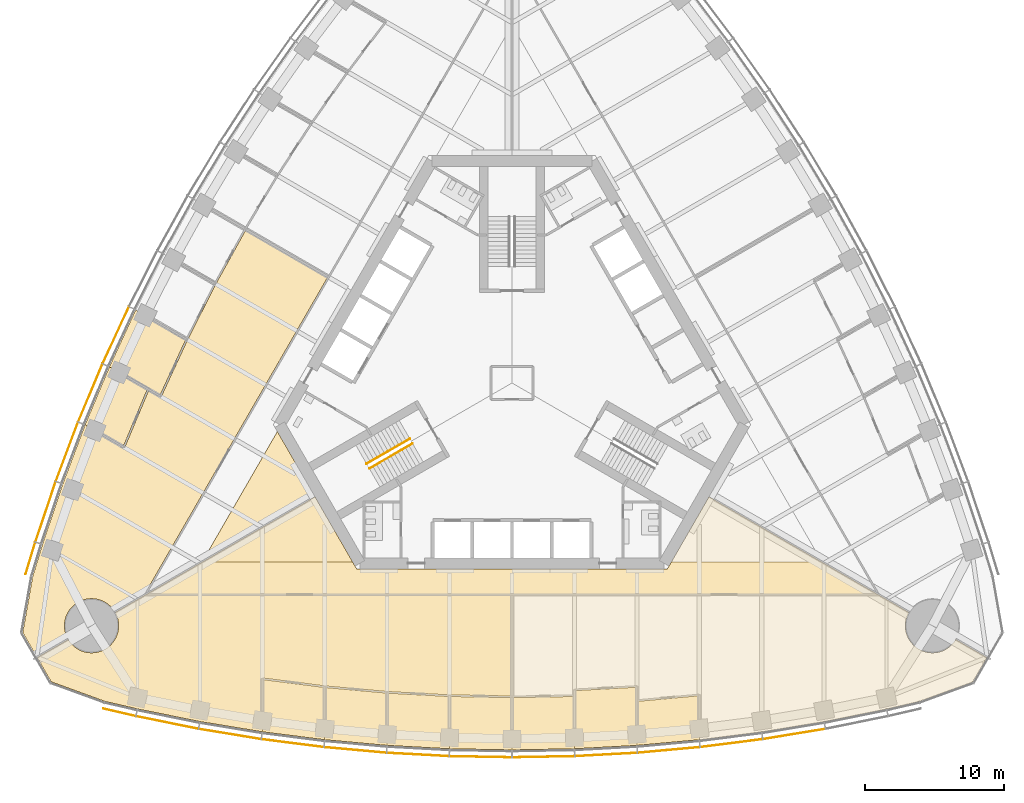
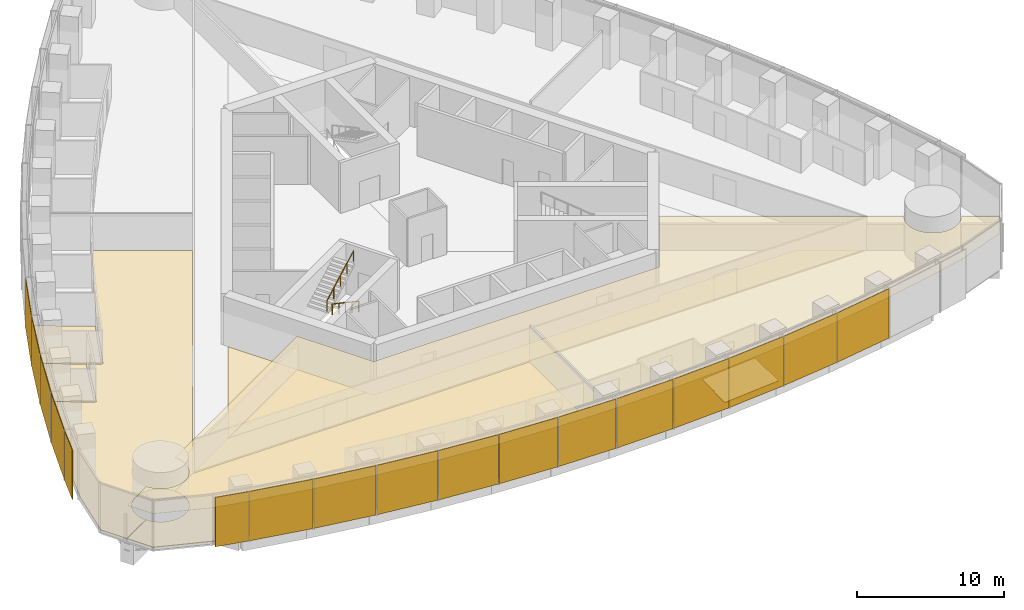
# One storey, part 15 of 19: 17 shading devices, 15 coverings, 2 railings.
"""IFC4 building model written with IfcOpenShell, lengths in metres."""

from ifc_helpers import new_model, si_unit, direction, frame, origin, origin_2d, place, context, subcontext, project, spatial, polyline, rectangle, circle, outline, extrude, material, layer, layer_set, type_object, element, save


model = new_model("IFC4")

# Units and contexts
model_context = context("Model", 3, precision=1e-05, world=origin(), true_north=direction((0.0, 1.0)))
body_context = subcontext(model_context, "Body", "Model", "MODEL_VIEW")
ifc_project = project(units=[si_unit("LENGTHUNIT", "METRE"), si_unit("AREAUNIT", "SQUARE_METRE"), si_unit("VOLUMEUNIT", "CUBIC_METRE"), si_unit("PLANEANGLEUNIT", "RADIAN"), si_unit("MASSUNIT", "GRAM", prefix="KILO")], contexts=[model_context])

# Site, building, storey
site_placement = place(None, origin())
site = spatial("IfcSite", under=ifc_project, at=site_placement, CompositionType="ELEMENT")
building_placement = place(site_placement, origin())
building = spatial("IfcBuilding", under=site, at=building_placement, Name="Trefoil Bronze Tower", CompositionType="ELEMENT")
storey_placement = place(building_placement, frame((0.0, 0.0, 128.300048828125)))
storey = spatial("IfcBuildingStorey", under=building, at=storey_placement, Name="L29", CompositionType="ELEMENT", Elevation=128.300048828125)

# Shading devices
ifc_material_1 = material(Name="Perforated bronze sheet", Category="bronze")
ifc_layer_1 = layer(ifc_material_1, 0.0400390625)
ifc_layer_set_1 = layer_set([ifc_layer_1], Name="Bronze solar screen panel")
shading_device_type = type_object("IfcShadingDeviceType", Name="Bronze solar screen panel", PredefinedType="SHUTTER", material=ifc_layer_set_1)
shading_device_1_placement = place(storey_placement, frame((-28.30078125, -23.748779296875, 0.0498046875), z_axis=(0.0, 0.0, 1.0), x_axis=(0.97420444715, -0.225667222151, 0.0)))
element("IfcShadingDevice", 1, at=shading_device_1_placement, inside=storey, type_object=shading_device_type, Name="Solar screen CW-A L29 F1 bay 1", PredefinedType="SHUTTER", context=body_context, shape_type="SweptSolid", body=[
    extrude(rectangle(XDim=2.39013671875, YDim=0.0400390625, at=origin_2d()), origin(), (0.0, 0.0, 1.0), 4.10009765625),
])
shading_device_2_placement = place(storey_placement, frame((-24.85693359375, -24.480224609375, 0.0498046875), z_axis=(0.0, 0.0, 1.0), x_axis=(0.980155155547, -0.198231861853, 0.0)))
element("IfcShadingDevice", 2, at=shading_device_2_placement, inside=storey, type_object=shading_device_type, Name="Solar screen CW-A L29 F1 bay 2", PredefinedType="SHUTTER", context=body_context, shape_type="SweptSolid", body=[
    extrude(rectangle(XDim=4.56103515625, YDim=0.0400390625, at=origin_2d()), origin(), (0.0, 0.0, 1.0), 4.10009765625),
])
shading_device_3_placement = place(storey_placement, frame((-20.337646484375, -25.30859375, 0.0498046875), z_axis=(0.0, 0.0, 1.0), x_axis=(0.986759655731, -0.162189339418, 0.0)))
element("IfcShadingDevice", 3, at=shading_device_3_placement, inside=storey, type_object=shading_device_type, Name="Solar screen CW-A L29 F1 bay 3", PredefinedType="SHUTTER", context=body_context, shape_type="SweptSolid", body=[
    extrude(rectangle(XDim=4.5302734375, YDim=0.0400390625, at=origin_2d()), origin(), (0.0, 0.0, 1.0), 4.10009765625),
])
shading_device_4_placement = place(storey_placement, frame((-15.818115234375, -25.96728515625, 0.0498046875), z_axis=(0.0, 0.0, 1.0), x_axis=(0.992011554286, -0.126147041833, 0.0)))
element("IfcShadingDevice", 4, at=shading_device_4_placement, inside=storey, type_object=shading_device_type, Name="Solar screen CW-A L29 F1 bay 4", PredefinedType="SHUTTER", context=body_context, shape_type="SweptSolid", body=[
    extrude(rectangle(XDim=4.50634765625, YDim=0.0400390625, at=origin_2d()), origin(), (0.0, 0.0, 1.0), 4.10009765625),
])
shading_device_5_placement = place(storey_placement, frame((-11.298583984375, -26.459228515625, 0.0498046875), z_axis=(0.0, 0.0, 1.0), x_axis=(0.995932279146, -0.090104913044, 0.0)))
element("IfcShadingDevice", 5, at=shading_device_5_placement, inside=storey, type_object=shading_device_type, Name="Solar screen CW-A L29 F1 bay 5", PredefinedType="SHUTTER", context=body_context, shape_type="SweptSolid", body=[
    extrude(rectangle(XDim=4.48828125, YDim=0.0400390625, at=origin_2d()), origin(), (0.0, 0.0, 1.0), 4.10009765625),
])
shading_device_6_placement = place(storey_placement, frame((-6.779296875, -26.785888671875, 0.0498046875), z_axis=(0.0, 0.0, 1.0), x_axis=(0.998537531923, -0.054062901701, 0.0)))
element("IfcShadingDevice", 6, at=shading_device_6_placement, inside=storey, type_object=shading_device_type, Name="Solar screen CW-A L29 F1 bay 6", PredefinedType="SHUTTER", context=body_context, shape_type="SweptSolid", body=[
    extrude(rectangle(XDim=4.4765625, YDim=0.0400390625, at=origin_2d()), origin(), (0.0, 0.0, 1.0), 4.10009765625),
])
for number, where, z_axis, x_axis, name in (
    (7, (-2.259765625, -26.948974609375, 0.0498046875), (0.0, 0.0, 1.0), (0.999837609322, -0.018020959612, 0.0), "Solar screen CW-A L29 F1 bay 7"),
    (8, (2.259765625, -26.948974609375, 0.0498046875), (0.0, 0.0, 1.0), (0.999837609322, 0.018020959612, 0.0), "Solar screen CW-A L29 F1 bay 8"),
):
    element("IfcShadingDevice", number, at=place(storey_placement, frame(where, z_axis=z_axis, x_axis=x_axis)), inside=storey, type_object=shading_device_type, Name=name, PredefinedType="SHUTTER", context=body_context, shape_type="SweptSolid", body=[
        extrude(rectangle(XDim=4.470703125, YDim=0.0400390625, at=origin_2d()), origin(), (0.0, 0.0, 1.0), 4.10009765625),
    ])
shading_device_7_placement = place(storey_placement, frame((6.779296875, -26.785888671875, 0.0498046875), z_axis=(0.0, 0.0, 1.0), x_axis=(0.998537531923, 0.054062901701, 0.0)))
element("IfcShadingDevice", 9, at=shading_device_7_placement, inside=storey, type_object=shading_device_type, Name="Solar screen CW-A L29 F1 bay 9", PredefinedType="SHUTTER", context=body_context, shape_type="SweptSolid", body=[
    extrude(rectangle(XDim=4.4765625, YDim=0.0400390625, at=origin_2d()), origin(), (0.0, 0.0, 1.0), 4.10009765625),
])
shading_device_8_placement = place(storey_placement, frame((11.298583984375, -26.459228515625, 0.0498046875), z_axis=(0.0, 0.0, 1.0), x_axis=(0.995932279146, 0.090104913044, 0.0)))
element("IfcShadingDevice", 10, at=shading_device_8_placement, inside=storey, type_object=shading_device_type, Name="Solar screen CW-A L29 F1 bay 10", PredefinedType="SHUTTER", context=body_context, shape_type="SweptSolid", body=[
    extrude(rectangle(XDim=4.48828125, YDim=0.0400390625, at=origin_2d()), origin(), (0.0, 0.0, 1.0), 4.10009765625),
])
shading_device_9_placement = place(storey_placement, frame((15.818115234375, -25.96728515625, 0.0498046875), z_axis=(0.0, 0.0, 1.0), x_axis=(0.992011554286, 0.126147041833, 0.0)))
element("IfcShadingDevice", 11, at=shading_device_9_placement, inside=storey, type_object=shading_device_type, Name="Solar screen CW-A L29 F1 bay 11", PredefinedType="SHUTTER", context=body_context, shape_type="SweptSolid", body=[
    extrude(rectangle(XDim=4.50634765625, YDim=0.0400390625, at=origin_2d()), origin(), (0.0, 0.0, 1.0), 4.10009765625),
])
shading_device_10_placement = place(storey_placement, frame((20.337646484375, -25.30859375, 0.0498046875), z_axis=(0.0, 0.0, 1.0), x_axis=(0.986759655731, 0.162189339418, 0.0)))
element("IfcShadingDevice", 12, at=shading_device_10_placement, inside=storey, type_object=shading_device_type, Name="Solar screen CW-A L29 F1 bay 12", PredefinedType="SHUTTER", context=body_context, shape_type="SweptSolid", body=[
    extrude(rectangle(XDim=4.5302734375, YDim=0.0400390625, at=origin_2d()), origin(), (0.0, 0.0, 1.0), 4.10009765625),
])
shading_device_11_placement = place(storey_placement, frame((-28.563720703125, 3.444580078125, 0.0498046875), z_axis=(0.0, 0.0, 1.0), x_axis=(-0.419932995871, -0.907555110712, 0.0)))
element("IfcShadingDevice", 13, at=shading_device_11_placement, inside=storey, type_object=shading_device_type, Name="Solar screen CW-A L29 F3 bay 10", PredefinedType="SHUTTER", context=body_context, shape_type="SweptSolid", body=[
    extrude(rectangle(XDim=4.48828125, YDim=0.0400390625, at=origin_2d()), origin(), (0.0, 0.0, 1.0), 4.10009765625),
])
shading_device_12_placement = place(storey_placement, frame((-30.3974609375, -0.715087890625, 0.0498046875), z_axis=(0.0, 0.0, 1.0), x_axis=(-0.386759234303, -0.922180727776, 0.0)))
element("IfcShadingDevice", 14, at=shading_device_12_placement, inside=storey, type_object=shading_device_type, Name="Solar screen CW-A L29 F3 bay 11", PredefinedType="SHUTTER", context=body_context, shape_type="SweptSolid", body=[
    extrude(rectangle(XDim=4.50634765625, YDim=0.0400390625, at=origin_2d()), origin(), (0.0, 0.0, 1.0), 4.10009765625),
])
shading_device_13_placement = place(storey_placement, frame((-32.086669921875, -4.95849609375, 0.0498046875), z_axis=(0.0, 0.0, 1.0), x_axis=(-0.352919739707, -0.935653599002, 0.0)))
element("IfcShadingDevice", 15, at=shading_device_13_placement, inside=storey, type_object=shading_device_type, Name="Solar screen CW-A L29 F3 bay 12", PredefinedType="SHUTTER", context=body_context, shape_type="SweptSolid", body=[
    extrude(rectangle(XDim=4.5302734375, YDim=0.0400390625, at=origin_2d()), origin(), (0.0, 0.0, 1.0), 4.10009765625),
])
shading_device_14_placement = place(storey_placement, frame((-33.62890625, -9.286865234375, 0.0498046875), z_axis=(0.0, 0.0, 1.0), x_axis=(-0.318403749569, -0.947955195281, 0.0)))
element("IfcShadingDevice", 16, at=shading_device_14_placement, inside=storey, type_object=shading_device_type, Name="Solar screen CW-A L29 F3 bay 13", PredefinedType="SHUTTER", context=body_context, shape_type="SweptSolid", body=[
    extrude(rectangle(XDim=4.56103515625, YDim=0.0400390625, at=origin_2d()), origin(), (0.0, 0.0, 1.0), 4.10009765625),
])
shading_device_15_placement = place(storey_placement, frame((-34.717529296875, -12.634765625, 0.0498046875), z_axis=(0.0, 0.0, 1.0), x_axis=(-0.291668676391, -0.956519410787, 0.0)))
element("IfcShadingDevice", 17, at=shading_device_15_placement, inside=storey, type_object=shading_device_type, Name="Solar screen CW-A L29 F3 bay 14", PredefinedType="SHUTTER", context=body_context, shape_type="SweptSolid", body=[
    extrude(rectangle(XDim=2.39013671875, YDim=0.0400390625, at=origin_2d()), origin(), (0.0, 0.0, 1.0), 4.10009765625),
])

# Railings
ifc_material_2 = material(Name="Steel handrail", Category="steel")
railing_type = type_object("IfcRailingType", Name="Handrail 900", PredefinedType="HANDRAIL", material=ifc_material_2)
railing_1_placement = place(storey_placement, frame((-7.166015625, -4.3681640625, 0.161376953125)))
element("IfcRailing", 18, at=railing_1_placement, inside=storey, type_object=railing_type, Name="Handrail ST3 flight 1 L29", PredefinedType="HANDRAIL", context=body_context, shape_type="SweptSolid", body=[
    extrude(circle(Radius=0.02392578125, at=origin_2d()), frame((0.0, 0.0, 0.8759765625), z_axis=(-0.76250339821, -0.440245697338, 0.474101564745), x_axis=(0.500012057535, -0.866018442252, 0.0)), (0.0, 0.0, 1.0), 4.088623046875),
    extrude(circle(Radius=0.02099609375, at=origin_2d()), origin(), (0.0, 0.0, 1.0), 0.851806640625),
    extrude(circle(Radius=0.02099609375, at=origin_2d()), frame((-0.779296875, -0.449951171875, 0.484619140625)), (0.0, 0.0, 1.0), 0.851806640625),
    extrude(circle(Radius=0.02099609375, at=origin_2d()), frame((-1.558837890625, -0.89990234375, 0.96923828125)), (0.0, 0.0, 1.0), 0.851806640625),
    extrude(circle(Radius=0.02099609375, at=origin_2d()), frame((-2.33837890625, -1.35009765625, 1.453857421875)), (0.0, 0.0, 1.0), 0.851806640625),
    extrude(circle(Radius=0.02099609375, at=origin_2d()), frame((-3.11767578125, -1.800048828125, 1.9384765625)), (0.0, 0.0, 1.0), 0.851806640625),
])
railing_2_placement = place(storey_placement, frame((-10.483642578125, -5.82177734375, 2.261474609375)))
element("IfcRailing", 19, at=railing_2_placement, inside=storey, type_object=railing_type, Name="Handrail ST3 flight 2 L29", PredefinedType="HANDRAIL", context=body_context, shape_type="SweptSolid", body=[
    extrude(circle(Radius=0.02392578125, at=origin_2d()), frame((0.0, 0.0, 0.8759765625), z_axis=(0.76250339821, 0.440245697338, 0.474101564745), x_axis=(-0.500012057535, 0.866018442252, 0.0)), (0.0, 0.0, 1.0), 4.088623046875),
    extrude(circle(Radius=0.02099609375, at=origin_2d()), origin(), (0.0, 0.0, 1.0), 0.851806640625),
    extrude(circle(Radius=0.02099609375, at=origin_2d()), frame((0.779296875, 0.449951171875, 0.484619140625)), (0.0, 0.0, 1.0), 0.851806640625),
    extrude(circle(Radius=0.02099609375, at=origin_2d()), frame((1.558837890625, 0.89990234375, 0.96923828125)), (0.0, 0.0, 1.0), 0.851806640625),
    extrude(circle(Radius=0.02099609375, at=origin_2d()), frame((2.33837890625, 1.35009765625, 1.453857421875)), (0.0, 0.0, 1.0), 0.851806640625),
    extrude(circle(Radius=0.02099609375, at=origin_2d()), frame((3.11767578125, 1.800048828125, 1.9384765625)), (0.0, 0.0, 1.0), 0.851806640625),
])

# Coverings
ifc_material_3 = material(Name="Acoustic ceiling panels", Category="mineral fibre")
ifc_layer_2 = layer(ifc_material_3, 0.02001953125)
ifc_layer_set_2 = layer_set([ifc_layer_2], Name="Office ceiling 20")
covering_type_1 = type_object("IfcCoveringType", Name="Office ceiling 20", PredefinedType="CEILING", material=ifc_layer_set_2)
covering_1_placement = place(storey_placement, frame((0.0, 0.0, 2.89990234375)))
element("IfcCovering", 20, at=covering_1_placement, inside=storey, type_object=covering_type_1, Name="Ceiling L29 Open-plan office F1", PredefinedType="CEILING", context=body_context, shape_type="SweptSolid", body=[
    extrude(outline(polyline([(-31.932373046875, -18.58349609375), (-31.877197265625, -18.66162109375), (-31.818359375, -18.737060546875), (-31.755615234375, -18.8095703125), (-31.689697265625, -18.87890625), (-31.620361328125, -18.94482421875), (-31.548095703125, -19.00732421875), (-31.472412109375, -19.06640625), (-31.394287109375, -19.121337890625), (-31.3134765625, -19.172607421875), (-31.22998046875, -19.2197265625), (-31.14453125, -19.2626953125), (-31.05712890625, -19.301513671875), (-30.9677734375, -19.3359375), (-30.876953125, -19.365966796875), (-30.78466796875, -19.3916015625), (-30.69140625, -19.41259765625), (-30.596923828125, -19.428955078125), (-30.501953125, -19.440673828125), (-30.406494140625, -19.44775390625), (-30.310791015625, -19.449951171875), (-30.215087890625, -19.44775390625), (-30.119873046875, -19.440673828125), (-30.02490234375, -19.428955078125), (-29.930419921875, -19.41259765625), (-29.837158203125, -19.3916015625), (-29.744873046875, -19.365966796875), (-29.654052734375, -19.3359375), (-29.564697265625, -19.301513671875), (-29.477294921875, -19.2626953125), (-29.3916015625, -19.2197265625), (-29.308349609375, -19.172607421875), (-29.2275390625, -19.121337890625), (-29.1494140625, -19.06640625), (-29.07373046875, -19.00732421875), (-29.001220703125, -18.94482421875), (-28.931884765625, -18.87890625), (-28.865966796875, -18.8095703125), (-28.803466796875, -18.737060546875), (-28.74462890625, -18.66162109375), (-28.689453125, -18.58349609375), (-28.63818359375, -18.50244140625), (-28.591064453125, -18.419189453125), (-28.548095703125, -18.333740234375), (-28.50927734375, -18.24609375), (-28.474853515625, -18.156982421875), (-28.44482421875, -18.066162109375), (-28.419189453125, -17.973876953125), (-28.3984375, -17.88037109375), (-28.382080078125, -17.7861328125), (-28.370361328125, -17.691162109375), (-28.36328125, -17.595703125), (-28.36083984375, -17.5), (-28.36328125, -17.404296875), (-28.370361328125, -17.308837890625), (-28.382080078125, -17.2138671875), (-28.3984375, -17.11962890625), (-28.419189453125, -17.026123046875), (-28.44482421875, -16.933837890625), (-28.474853515625, -16.843017578125), (-28.50927734375, -16.75390625), (-28.548095703125, -16.666259765625), (-28.591064453125, -16.580810546875), (-28.616455078125, -16.535888671875), (-14.19970703125, -8.205322265625), (-11.20068359375, -13.39990234375), (11.20068359375, -13.39990234375), (14.19970703125, -8.205322265625), (28.616455078125, -16.535888671875), (28.591064453125, -16.580810546875), (28.548095703125, -16.666259765625), (28.50927734375, -16.75390625), (28.474853515625, -16.843017578125), (28.44482421875, -16.933837890625), (28.419189453125, -17.026123046875), (28.3984375, -17.11962890625), (28.382080078125, -17.2138671875), (28.370361328125, -17.308837890625), (28.36328125, -17.404296875), (28.36083984375, -17.5), (28.36328125, -17.595703125), (28.370361328125, -17.691162109375), (28.382080078125, -17.7861328125), (28.3984375, -17.88037109375), (28.419189453125, -17.973876953125), (28.44482421875, -18.066162109375), (28.474853515625, -18.156982421875), (28.50927734375, -18.24609375), (28.548095703125, -18.333740234375), (28.591064453125, -18.419189453125), (28.63818359375, -18.50244140625), (28.689453125, -18.58349609375), (28.74462890625, -18.66162109375), (28.803466796875, -18.737060546875), (28.865966796875, -18.8095703125), (28.931884765625, -18.87890625), (29.001220703125, -18.94482421875), (29.07373046875, -19.00732421875), (29.1494140625, -19.06640625), (29.2275390625, -19.121337890625), (29.308349609375, -19.172607421875), (29.3916015625, -19.2197265625), (29.477294921875, -19.2626953125), (29.564697265625, -19.301513671875), (29.654052734375, -19.3359375), (29.744873046875, -19.365966796875), (29.837158203125, -19.3916015625), (29.930419921875, -19.41259765625), (30.02490234375, -19.428955078125), (30.119873046875, -19.440673828125), (30.215087890625, -19.44775390625), (30.310791015625, -19.449951171875), (30.406494140625, -19.44775390625), (30.501953125, -19.440673828125), (30.596923828125, -19.428955078125), (30.69140625, -19.41259765625), (30.78466796875, -19.3916015625), (30.876953125, -19.365966796875), (30.9677734375, -19.3359375), (31.05712890625, -19.301513671875), (31.14453125, -19.2626953125), (31.22998046875, -19.2197265625), (31.3134765625, -19.172607421875), (31.394287109375, -19.121337890625), (31.472412109375, -19.06640625), (31.548095703125, -19.00732421875), (31.620361328125, -18.94482421875), (31.689697265625, -18.87890625), (31.755615234375, -18.8095703125), (31.818359375, -18.737060546875), (31.877197265625, -18.66162109375), (31.932373046875, -18.58349609375), (31.992431640625, -18.48681640625), (34.233154296875, -19.781494140625), (33.21435546875, -21.5458984375), (29.357666015625, -22.94970703125), (27.0, -23.495849609375), (22.5, -24.406005859375), (18.0, -25.1455078125), (13.5, -25.7177734375), (9.0, -26.125), (4.5, -26.36865234375), (0.0, -26.44970703125), (-4.5, -26.36865234375), (-9.0, -26.125), (-13.5, -25.7177734375), (-18.0, -25.1455078125), (-22.5, -24.406005859375), (-27.0, -23.495849609375), (-29.357666015625, -22.94970703125), (-33.21435546875, -21.5458984375), (-34.233154296875, -19.781494140625), (-31.992431640625, -18.48681640625), (-31.932373046875, -18.58349609375)])), origin(), (0.0, 0.0, 1.0), 0.02001953125),
])
ifc_material_4 = material(Name="Raised access floor panels", Category="steel")
ifc_layer_3 = layer(ifc_material_4, 0.050048828125)
ifc_layer_set_3 = layer_set([ifc_layer_3], Name="Raised access floor 150")
covering_type_2 = type_object("IfcCoveringType", Name="Raised access floor 150", PredefinedType="FLOORING", material=ifc_layer_set_3)
covering_2_placement = place(storey_placement, frame((0.0, 0.0, 0.099853515625)))
element("IfcCovering", 21, at=covering_2_placement, inside=storey, type_object=covering_type_2, Name="Raised floor L29 Project room F1", PredefinedType="FLOORING", context=body_context, shape_type="SweptSolid", body=[
    extrude(outline(polyline([(-13.5, -25.7177734375), (-18.0, -25.1455078125), (-18.0, -23.64990234375), (-17.93994140625, -23.64990234375), (-17.93994140625, -21.388671875), (-13.56005859375, -21.94580078125), (-13.56005859375, -24.22900390625), (-13.5, -24.22900390625), (-13.5, -25.7177734375)])), origin(), (0.0, 0.0, 1.0), 0.050048828125),
])
covering_3_placement = place(storey_placement, frame((0.0, 0.0, 0.099853515625)))
element("IfcCovering", 22, at=covering_3_placement, inside=storey, type_object=covering_type_2, Name="Raised floor L29 Project room F1", PredefinedType="FLOORING", context=body_context, shape_type="SweptSolid", body=[
    extrude(outline(polyline([(-9.0, -26.125), (-13.5, -25.7177734375), (-13.5, -24.22900390625), (-13.43994140625, -24.22900390625), (-13.43994140625, -21.95849609375), (-9.06005859375, -22.354736328125), (-9.06005859375, -24.64111328125), (-9.0, -24.64111328125), (-9.0, -26.125)])), origin(), (0.0, 0.0, 1.0), 0.050048828125),
])
covering_4_placement = place(storey_placement, frame((0.0, 0.0, 0.099853515625)))
element("IfcCovering", 23, at=covering_4_placement, inside=storey, type_object=covering_type_2, Name="Raised floor L29 Project room F1", PredefinedType="FLOORING", context=body_context, shape_type="SweptSolid", body=[
    extrude(outline(polyline([(-4.5, -26.36865234375), (-9.0, -26.125), (-9.0, -24.64111328125), (-8.93994140625, -24.64111328125), (-8.93994140625, -22.36328125), (-4.56005859375, -22.600341796875), (-4.56005859375, -24.8876953125), (-4.5, -24.8876953125), (-4.5, -26.36865234375)])), origin(), (0.0, 0.0, 1.0), 0.050048828125),
])
covering_5_placement = place(storey_placement, frame((0.0, 0.0, 0.099853515625)))
element("IfcCovering", 24, at=covering_5_placement, inside=storey, type_object=covering_type_2, Name="Raised floor L29 Project room F1", PredefinedType="FLOORING", context=body_context, shape_type="SweptSolid", body=[
    extrude(outline(polyline([(0.0, -26.44970703125), (-4.5, -26.36865234375), (-4.5, -24.8876953125), (-4.43994140625, -24.8876953125), (-4.43994140625, -22.604736328125), (-0.074951171875, -22.683349609375), (-0.074951171875, -24.9697265625), (0.0, -24.9697265625), (0.0, -26.44970703125)])), origin(), (0.0, 0.0, 1.0), 0.050048828125),
])
covering_6_placement = place(storey_placement, frame((0.0, 0.0, 0.099853515625)))
element("IfcCovering", 25, at=covering_6_placement, inside=storey, type_object=covering_type_2, Name="Raised floor L29 Project room F1", PredefinedType="FLOORING", context=body_context, shape_type="SweptSolid", body=[
    extrude(outline(polyline([(4.5, -26.36865234375), (0.0, -26.44970703125), (0.0, -24.9697265625), (0.074951171875, -24.9697265625), (0.074951171875, -22.683349609375), (4.43994140625, -22.604736328125), (4.43994140625, -24.8876953125), (4.5, -24.8876953125), (4.5, -26.36865234375)])), origin(), (0.0, 0.0, 1.0), 0.050048828125),
])
covering_7_placement = place(storey_placement, frame((0.0, 0.0, 0.099853515625)))
element("IfcCovering", 26, at=covering_7_placement, inside=storey, type_object=covering_type_2, Name="Raised floor L29 Meeting room F1", PredefinedType="FLOORING", context=body_context, shape_type="SweptSolid", body=[
    extrude(outline(polyline([(9.0, -26.125), (4.5, -26.36865234375), (4.5, -24.8876953125), (4.56005859375, -24.8876953125), (4.56005859375, -22.17529296875), (8.93994140625, -21.938232421875), (8.93994140625, -24.64111328125), (9.0, -24.64111328125), (9.0, -26.125)])), origin(), (0.0, 0.0, 1.0), 0.050048828125),
])
covering_8_placement = place(storey_placement, frame((0.0, 0.0, 0.099853515625)))
element("IfcCovering", 27, at=covering_8_placement, inside=storey, type_object=covering_type_2, Name="Raised floor L29 Pantry F1", PredefinedType="FLOORING", context=body_context, shape_type="SweptSolid", body=[
    extrude(outline(polyline([(13.5, -25.7177734375), (9.0, -26.125), (9.0, -24.64111328125), (9.06005859375, -24.64111328125), (9.06005859375, -22.94970703125), (13.43994140625, -22.553466796875), (13.43994140625, -24.22900390625), (13.5, -24.22900390625), (13.5, -25.7177734375)])), origin(), (0.0, 0.0, 1.0), 0.050048828125),
])
covering_9_placement = place(storey_placement, frame((0.0, 0.0, 0.099853515625)))
element("IfcCovering", 28, at=covering_9_placement, inside=storey, type_object=covering_type_2, Name="Raised floor L29 Corridor F1", PredefinedType="FLOORING", context=body_context, shape_type="SweptSolid", body=[
    extrude(outline(polyline([(-26.304443359375, -15.199951171875), (-22.32421875, -12.89990234375), (-11.4892578125, -12.89990234375), (-11.20068359375, -13.39990234375), (11.20068359375, -13.39990234375), (11.4892578125, -12.89990234375), (22.32421875, -12.89990234375), (26.304443359375, -15.199951171875), (-26.304443359375, -15.199951171875)])), origin(), (0.0, 0.0, 1.0), 0.050048828125),
])
covering_10_placement = place(storey_placement, frame((0.0, 0.0, 0.099853515625)))
element("IfcCovering", 29, at=covering_10_placement, inside=storey, type_object=covering_type_2, Name="Raised floor L29 Open-plan office F1", PredefinedType="FLOORING", context=body_context, shape_type="SweptSolid", body=[
    extrude(outline(polyline([(-28.50927734375, -16.75390625), (-28.548095703125, -16.666259765625), (-28.591064453125, -16.580810546875), (-28.616455078125, -16.535888671875), (-26.398193359375, -15.254150390625), (-26.398193359375, -15.320068359375), (-0.074951171875, -15.320068359375), (-0.074951171875, -22.563232421875), (-4.497802734375, -22.483642578125), (-8.99560546875, -22.239990234375), (-13.493408203125, -21.8330078125), (-17.992431640625, -21.260986328125), (-18.0, -21.320556640625), (-18.06005859375, -21.320556640625), (-18.06005859375, -23.64990234375), (-18.0, -23.64990234375), (-18.0, -25.1455078125), (-22.5, -24.406005859375), (-27.0, -23.495849609375), (-29.357666015625, -22.94970703125), (-33.21435546875, -21.5458984375), (-34.233154296875, -19.781494140625), (-31.992431640625, -18.48681640625), (-31.932373046875, -18.58349609375), (-31.877197265625, -18.66162109375), (-31.818359375, -18.737060546875), (-31.755615234375, -18.8095703125), (-31.689697265625, -18.87890625), (-31.620361328125, -18.94482421875), (-31.548095703125, -19.00732421875), (-31.472412109375, -19.06640625), (-31.394287109375, -19.121337890625), (-31.3134765625, -19.172607421875), (-31.22998046875, -19.2197265625), (-31.14453125, -19.2626953125), (-31.05712890625, -19.301513671875), (-30.9677734375, -19.3359375), (-30.876953125, -19.365966796875), (-30.78466796875, -19.3916015625), (-30.69140625, -19.41259765625), (-30.596923828125, -19.428955078125), (-30.501953125, -19.440673828125), (-30.406494140625, -19.44775390625), (-30.310791015625, -19.449951171875), (-30.215087890625, -19.44775390625), (-30.119873046875, -19.440673828125), (-30.02490234375, -19.428955078125), (-29.930419921875, -19.41259765625), (-29.837158203125, -19.3916015625), (-29.744873046875, -19.365966796875), (-29.654052734375, -19.3359375), (-29.564697265625, -19.301513671875), (-29.477294921875, -19.2626953125), (-29.3916015625, -19.2197265625), (-29.308349609375, -19.172607421875), (-29.2275390625, -19.121337890625), (-29.1494140625, -19.06640625), (-29.07373046875, -19.00732421875), (-29.001220703125, -18.94482421875), (-28.931884765625, -18.87890625), (-28.865966796875, -18.8095703125), (-28.803466796875, -18.737060546875), (-28.74462890625, -18.66162109375), (-28.689453125, -18.58349609375), (-28.63818359375, -18.50244140625), (-28.591064453125, -18.419189453125), (-28.548095703125, -18.333740234375), (-28.50927734375, -18.24609375), (-28.474853515625, -18.156982421875), (-28.44482421875, -18.066162109375), (-28.419189453125, -17.973876953125), (-28.3984375, -17.88037109375), (-28.382080078125, -17.7861328125), (-28.370361328125, -17.691162109375), (-28.36328125, -17.595703125), (-28.36083984375, -17.5), (-28.36328125, -17.404296875), (-28.370361328125, -17.308837890625), (-28.382080078125, -17.2138671875), (-28.3984375, -17.11962890625), (-28.419189453125, -17.026123046875), (-28.44482421875, -16.933837890625), (-28.474853515625, -16.843017578125), (-28.50927734375, -16.75390625)])), origin(), (0.0, 0.0, 1.0), 0.050048828125),
])
covering_11_placement = place(storey_placement, frame((0.0, 0.0, 0.099853515625)))
element("IfcCovering", 30, at=covering_11_placement, inside=storey, type_object=covering_type_2, Name="Raised floor L29 Open-plan office F1", PredefinedType="FLOORING", context=body_context, shape_type="SweptSolid", body=[
    extrude(outline(polyline([(-22.32421875, -12.89990234375), (-14.19970703125, -8.205322265625), (-11.4892578125, -12.89990234375), (-22.32421875, -12.89990234375)])), origin(), (0.0, 0.0, 1.0), 0.050048828125),
])
covering_12_placement = place(storey_placement, frame((0.0, 0.0, 0.099853515625)))
element("IfcCovering", 31, at=covering_12_placement, inside=storey, type_object=covering_type_2, Name="Raised floor L29 Meeting room F3", PredefinedType="FLOORING", context=body_context, shape_type="SweptSolid", body=[
    extrude(outline(polyline([(-29.022216796875, 1.16748046875), (-27.124755859375, 5.268310546875), (-25.83984375, 4.5263671875), (-25.869873046875, 4.474365234375), (-23.521728515625, 3.11865234375), (-25.368408203125, -0.87255859375), (-27.702880859375, 0.47509765625), (-27.73291015625, 0.423095703125), (-29.022216796875, 1.16748046875)])), origin(), (0.0, 0.0, 1.0), 0.050048828125),
])
covering_13_placement = place(storey_placement, frame((0.0, 0.0, 0.099853515625)))
element("IfcCovering", 32, at=covering_13_placement, inside=storey, type_object=covering_type_2, Name="Raised floor L29 Pantry F3", PredefinedType="FLOORING", context=body_context, shape_type="SweptSolid", body=[
    extrude(outline(polyline([(-30.776611328125, -3.015625), (-29.022216796875, 1.16748046875), (-27.73291015625, 0.423095703125), (-27.762939453125, 0.371337890625), (-26.30078125, -0.472900390625), (-28.00830078125, -4.544677734375), (-29.451416015625, -3.71142578125), (-29.4814453125, -3.763427734375), (-30.776611328125, -3.015625)])), origin(), (0.0, 0.0, 1.0), 0.050048828125),
])
covering_14_placement = place(storey_placement, frame((0.0, 0.0, 0.099853515625)))
element("IfcCovering", 33, at=covering_14_placement, inside=storey, type_object=covering_type_2, Name="Raised floor L29 Open-plan office F3", PredefinedType="FLOORING", context=body_context, shape_type="SweptSolid", body=[
    extrude(outline(polyline([(-35.2666015625, -17.99169921875), (-34.5537109375, -13.94970703125), (-33.847900390625, -11.634765625), (-32.385986328125, -7.28271484375), (-30.776611328125, -3.015625), (-29.4814453125, -3.763427734375), (-29.511474609375, -3.8154296875), (-28.009521484375, -4.6826171875), (-27.9794921875, -4.630615234375), (-27.924072265625, -4.65380859375), (-26.196044921875, -0.533447265625), (-25.37158203125, -1.009521484375), (-25.341796875, -0.95751953125), (-25.287109375, -0.982666015625), (-23.39013671875, 3.1171875), (-21.352294921875, 7.134033203125), (-19.209716796875, 11.004150390625), (-13.304931640625, 7.594970703125), (-26.466552734375, -15.201416015625), (-26.40966796875, -15.234375), (-28.628662109375, -16.514404296875), (-28.689453125, -16.41650390625), (-28.74462890625, -16.33837890625), (-28.803466796875, -16.262939453125), (-28.865966796875, -16.1904296875), (-28.931884765625, -16.12109375), (-29.001220703125, -16.05517578125), (-29.07373046875, -15.99267578125), (-29.1494140625, -15.93359375), (-29.2275390625, -15.878662109375), (-29.308349609375, -15.827392578125), (-29.3916015625, -15.7802734375), (-29.477294921875, -15.7373046875), (-29.564697265625, -15.698486328125), (-29.654052734375, -15.6640625), (-29.744873046875, -15.634033203125), (-29.837158203125, -15.6083984375), (-29.930419921875, -15.58740234375), (-30.02490234375, -15.571044921875), (-30.119873046875, -15.559326171875), (-30.215087890625, -15.55224609375), (-30.310791015625, -15.550048828125), (-30.406494140625, -15.55224609375), (-30.501953125, -15.559326171875), (-30.596923828125, -15.571044921875), (-30.69140625, -15.58740234375), (-30.78466796875, -15.6083984375), (-30.876953125, -15.634033203125), (-30.9677734375, -15.6640625), (-31.05712890625, -15.698486328125), (-31.14453125, -15.7373046875), (-31.22998046875, -15.7802734375), (-31.3134765625, -15.827392578125), (-31.394287109375, -15.878662109375), (-31.472412109375, -15.93359375), (-31.548095703125, -15.99267578125), (-31.620361328125, -16.05517578125), (-31.689697265625, -16.12109375), (-31.755615234375, -16.1904296875), (-31.818359375, -16.262939453125), (-31.877197265625, -16.33837890625), (-31.932373046875, -16.41650390625), (-31.9833984375, -16.49755859375), (-32.030517578125, -16.580810546875), (-32.07373046875, -16.666259765625), (-32.112548828125, -16.75390625), (-32.14697265625, -16.843017578125), (-32.177001953125, -16.933837890625), (-32.202392578125, -17.026123046875), (-32.223388671875, -17.11962890625), (-32.23974609375, -17.2138671875), (-32.25146484375, -17.308837890625), (-32.258544921875, -17.404296875), (-32.260986328125, -17.5), (-32.258544921875, -17.595703125), (-32.25146484375, -17.691162109375), (-32.23974609375, -17.7861328125), (-32.223388671875, -17.88037109375), (-32.202392578125, -17.973876953125), (-32.177001953125, -18.066162109375), (-32.14697265625, -18.156982421875), (-32.112548828125, -18.24609375), (-32.07373046875, -18.333740234375), (-32.030517578125, -18.419189453125), (-32.006103515625, -18.462646484375), (-34.247802734375, -19.755859375), (-35.2666015625, -17.99169921875)])), origin(), (0.0, 0.0, 1.0), 0.050048828125),
])
covering_15_placement = place(storey_placement, frame((0.0, 0.0, 0.099853515625)))
element("IfcCovering", 34, at=covering_15_placement, inside=storey, type_object=covering_type_2, Name="Raised floor L29 Open-plan office F3", PredefinedType="FLOORING", context=body_context, shape_type="SweptSolid", body=[
    extrude(outline(polyline([(-14.205810546875, -8.194580078125), (-22.333740234375, -12.88330078125), (-16.91650390625, -3.5), (-14.205810546875, -8.194580078125)])), origin(), (0.0, 0.0, 1.0), 0.050048828125),
])

save(model, "model.ifc")
